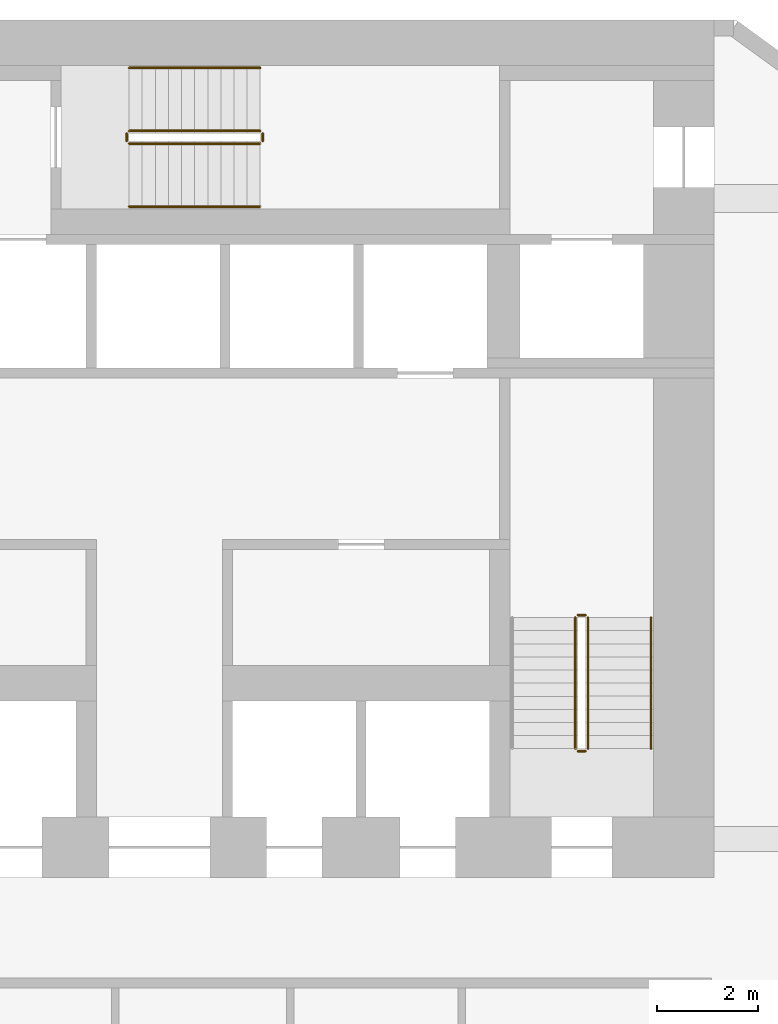
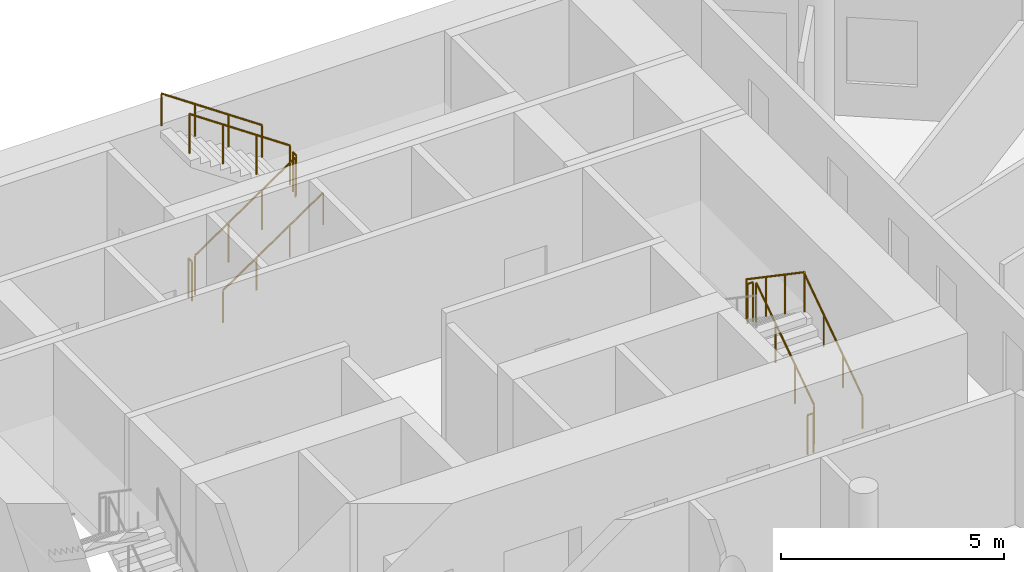
# One storey, part 9 of 9: 11 railings.
"""IFC4 building model written with IfcOpenShell, lengths in metres."""

from ifc_helpers import new_model, si_unit, direction, frame, origin, origin_2d, place, context, subcontext, project, spatial, circle, extrude, material, type_object, element, save


model = new_model("IFC4")

# Units and contexts
model_context = context("Model", 3, precision=1e-05, world=origin(), true_north=direction((0.0, 1.0)))
body_context = subcontext(model_context, "Body", "Model", "MODEL_VIEW")
ifc_project = project(units=[si_unit("LENGTHUNIT", "METRE"), si_unit("AREAUNIT", "SQUARE_METRE"), si_unit("VOLUMEUNIT", "CUBIC_METRE"), si_unit("PLANEANGLEUNIT", "RADIAN"), si_unit("MASSUNIT", "GRAM", prefix="KILO")], contexts=[model_context])

# Site, building, storey
site_placement = place(None, origin())
site = spatial("IfcSite", under=ifc_project, at=site_placement, CompositionType="ELEMENT")
building_placement = place(site_placement, origin())
building = spatial("IfcBuilding", under=site, at=building_placement, Name="White Candle Pilgrim Tower", CompositionType="ELEMENT")
storey_placement = place(building_placement, frame((0.0, 0.0, 70.199951171875)))
storey = spatial("IfcBuildingStorey", under=building, at=storey_placement, Name="L14", CompositionType="ELEMENT", Elevation=70.199951171875)

# Railings
ifc_material = material(Name="Stainless steel", Category="steel")
railing_type_1 = type_object("IfcRailingType", Name="Stair guard stainless steel 1100 mm", PredefinedType="GUARDRAIL", material=ifc_material)
railing_1_placement = place(storey_placement, frame((78.5, 73.550048828125, 0.17724609375)))
element("IfcRailing", 1, at=railing_1_placement, inside=storey, type_object=railing_type_1, Name="L14 ST2 stair guard 1", PredefinedType="GUARDRAIL", context=body_context, shape_type="SweptSolid", body=[
    extrude(circle(Radius=0.02392578125, at=origin_2d()), frame((0.0, 0.0, 1.076171875), z_axis=(0.0, 0.826215852431, 0.563353676824), x_axis=(-1.0, 0.0, 0.0)), (0.0, 0.0, 1.0), 3.146728515625),
    extrude(circle(Radius=0.02099609375, at=origin_2d()), origin(), (0.0, 0.0, 1.0), 1.052001953125),
    extrude(circle(Radius=0.02099609375, at=origin_2d()), frame((0.0, 0.86669921875, 0.5908203125)), (0.0, 0.0, 1.0), 1.052001953125),
    extrude(circle(Radius=0.02099609375, at=origin_2d()), frame((0.0, 1.733154296875, 1.181884765625)), (0.0, 0.0, 1.0), 1.052001953125),
    extrude(circle(Radius=0.02099609375, at=origin_2d()), frame((0.0, 2.599853515625, 1.772705078125)), (0.0, 0.0, 1.0), 1.052001953125),
])
railing_2_placement = place(storey_placement, frame((78.449951171875, 76.199951171875, 1.949951171875)))
element("IfcRailing", 2, at=railing_2_placement, inside=storey, type_object=railing_type_1, Name="L14 ST2 stair guard 2", PredefinedType="GUARDRAIL", context=body_context, shape_type="SweptSolid", body=[
    extrude(circle(Radius=0.02392578125, at=origin_2d()), frame((0.0, 0.0, 1.076171875), z_axis=(-1.0, 0.0, 0.0), x_axis=(0.0, -1.0, 0.0)), (0.0, 0.0, 1.0), 0.14990234375),
    extrude(circle(Radius=0.02099609375, at=origin_2d()), origin(), (0.0, 0.0, 1.0), 1.052001953125),
    extrude(circle(Radius=0.02099609375, at=origin_2d()), frame((-0.14990234375, 0.0, 0.0)), (0.0, 0.0, 1.0), 1.052001953125),
])
railing_3_placement = place(storey_placement, frame((78.25, 76.14990234375, 2.12744140625)))
element("IfcRailing", 3, at=railing_3_placement, inside=storey, type_object=railing_type_1, Name="L14 ST2 stair guard 3", PredefinedType="GUARDRAIL", context=body_context, shape_type="SweptSolid", body=[
    extrude(circle(Radius=0.02392578125, at=origin_2d()), frame((0.0, 0.0, 1.076171875), z_axis=(0.0, -0.826215852431, 0.563353676824), x_axis=(1.0, 0.0, 0.0)), (0.0, 0.0, 1.0), 3.146728515625),
    extrude(circle(Radius=0.02099609375, at=origin_2d()), origin(), (0.0, 0.0, 1.0), 1.052001953125),
    extrude(circle(Radius=0.02099609375, at=origin_2d()), frame((0.0, -0.86669921875, 0.5908203125)), (0.0, 0.0, 1.0), 1.052001953125),
    extrude(circle(Radius=0.02099609375, at=origin_2d()), frame((0.0, -1.733154296875, 1.181884765625)), (0.0, 0.0, 1.0), 1.052001953125),
    extrude(circle(Radius=0.02099609375, at=origin_2d()), frame((0.0, -2.599853515625, 1.772705078125)), (0.0, 0.0, 1.0), 1.052001953125),
])
railing_4_placement = place(storey_placement, frame((78.449951171875, 73.5, 0.0)))
element("IfcRailing", 4, at=railing_4_placement, inside=storey, type_object=railing_type_1, Name="L14 ST2 stair guard 4", PredefinedType="GUARDRAIL", context=body_context, shape_type="SweptSolid", body=[
    extrude(circle(Radius=0.02392578125, at=origin_2d()), frame((0.0, 0.0, 1.076171875), z_axis=(-1.0, 0.0, 0.0), x_axis=(0.0, -1.0, 0.0)), (0.0, 0.0, 1.0), 0.14990234375),
    extrude(circle(Radius=0.02099609375, at=origin_2d()), origin(), (0.0, 0.0, 1.0), 1.052001953125),
    extrude(circle(Radius=0.02099609375, at=origin_2d()), frame((-0.14990234375, 0.0, 0.0)), (0.0, 0.0, 1.0), 1.052001953125),
])
railing_5_placement = place(storey_placement, frame((69.39990234375, 85.550048828125, 0.17724609375)))
element("IfcRailing", 5, at=railing_5_placement, inside=storey, type_object=railing_type_1, Name="L14 ST3 stair guard 1", PredefinedType="GUARDRAIL", context=body_context, shape_type="SweptSolid", body=[
    extrude(circle(Radius=0.02392578125, at=origin_2d()), frame((0.0, 0.0, 1.076171875), z_axis=(0.826240473404, 0.0, 0.563317565952), x_axis=(0.0, 1.0, 0.0)), (0.0, 0.0, 1.0), 3.14697265625),
    extrude(circle(Radius=0.02099609375, at=origin_2d()), origin(), (0.0, 0.0, 1.0), 1.052001953125),
    extrude(circle(Radius=0.02099609375, at=origin_2d()), frame((0.86669921875, 0.0, 0.5908203125)), (0.0, 0.0, 1.0), 1.052001953125),
    extrude(circle(Radius=0.02099609375, at=origin_2d()), frame((1.7333984375, 0.0, 1.181884765625)), (0.0, 0.0, 1.0), 1.052001953125),
    extrude(circle(Radius=0.02099609375, at=origin_2d()), frame((2.60009765625, 0.0, 1.772705078125)), (0.0, 0.0, 1.0), 1.052001953125),
])
railing_6_placement = place(storey_placement, frame((72.050048828125, 85.60009765625, 1.949951171875)))
element("IfcRailing", 6, at=railing_6_placement, inside=storey, type_object=railing_type_1, Name="L14 ST3 stair guard 2", PredefinedType="GUARDRAIL", context=body_context, shape_type="SweptSolid", body=[
    extrude(circle(Radius=0.02392578125, at=origin_2d()), frame((0.0, 0.0, 1.076171875), z_axis=(0.0, 1.0, 0.0), x_axis=(-1.0, 0.0, 0.0)), (0.0, 0.0, 1.0), 0.14990234375),
    extrude(circle(Radius=0.02099609375, at=origin_2d()), origin(), (0.0, 0.0, 1.0), 1.052001953125),
    extrude(circle(Radius=0.02099609375, at=origin_2d()), frame((0.0, 0.14990234375, 0.0)), (0.0, 0.0, 1.0), 1.052001953125),
])
railing_7_placement = place(storey_placement, frame((72.0, 85.800048828125, 2.12744140625)))
element("IfcRailing", 7, at=railing_7_placement, inside=storey, type_object=railing_type_1, Name="L14 ST3 stair guard 3", PredefinedType="GUARDRAIL", context=body_context, shape_type="SweptSolid", body=[
    extrude(circle(Radius=0.02392578125, at=origin_2d()), frame((0.0, 0.0, 1.076171875), z_axis=(-0.826240473404, 0.0, 0.563317565952), x_axis=(0.0, -1.0, 0.0)), (0.0, 0.0, 1.0), 3.14697265625),
    extrude(circle(Radius=0.02099609375, at=origin_2d()), origin(), (0.0, 0.0, 1.0), 1.052001953125),
    extrude(circle(Radius=0.02099609375, at=origin_2d()), frame((-0.86669921875, 0.0, 0.5908203125)), (0.0, 0.0, 1.0), 1.052001953125),
    extrude(circle(Radius=0.02099609375, at=origin_2d()), frame((-1.7333984375, 0.0, 1.181884765625)), (0.0, 0.0, 1.0), 1.052001953125),
    extrude(circle(Radius=0.02099609375, at=origin_2d()), frame((-2.60009765625, 0.0, 1.772705078125)), (0.0, 0.0, 1.0), 1.052001953125),
])
railing_8_placement = place(storey_placement, frame((69.35009765625, 85.60009765625, 0.0)))
element("IfcRailing", 8, at=railing_8_placement, inside=storey, type_object=railing_type_1, Name="L14 ST3 stair guard 4", PredefinedType="GUARDRAIL", context=body_context, shape_type="SweptSolid", body=[
    extrude(circle(Radius=0.02392578125, at=origin_2d()), frame((0.0, 0.0, 1.076171875), z_axis=(0.0, 1.0, 0.0), x_axis=(-1.0, 0.0, 0.0)), (0.0, 0.0, 1.0), 0.14990234375),
    extrude(circle(Radius=0.02099609375, at=origin_2d()), origin(), (0.0, 0.0, 1.0), 1.052001953125),
    extrude(circle(Radius=0.02099609375, at=origin_2d()), frame((0.0, 0.14990234375, 0.0)), (0.0, 0.0, 1.0), 1.052001953125),
])
railing_type_2 = type_object("IfcRailingType", Name="Stair handrail stainless steel", PredefinedType="HANDRAIL", material=ifc_material)
railing_9_placement = place(storey_placement, frame((79.75, 73.550048828125, 0.17724609375)))
element("IfcRailing", 9, at=railing_9_placement, inside=storey, type_object=railing_type_2, Name="L14 ST2 stair handrail 1", PredefinedType="HANDRAIL", context=body_context, shape_type="SweptSolid", body=[
    extrude(circle(Radius=0.02392578125, at=origin_2d()), frame((0.0, 0.0, 0.8759765625), z_axis=(0.0, 0.826215852431, 0.563353676824), x_axis=(-1.0, 0.0, 0.0)), (0.0, 0.0, 1.0), 3.146728515625),
    extrude(circle(Radius=0.02099609375, at=origin_2d()), origin(), (0.0, 0.0, 1.0), 0.851806640625),
    extrude(circle(Radius=0.02099609375, at=origin_2d()), frame((0.0, 0.86669921875, 0.5908203125)), (0.0, 0.0, 1.0), 0.851806640625),
    extrude(circle(Radius=0.02099609375, at=origin_2d()), frame((0.0, 1.733154296875, 1.181884765625)), (0.0, 0.0, 1.0), 0.851806640625),
    extrude(circle(Radius=0.02099609375, at=origin_2d()), frame((0.0, 2.599853515625, 1.772705078125)), (0.0, 0.0, 1.0), 0.851806640625),
])
railing_10_placement = place(storey_placement, frame((69.39990234375, 84.300048828125, 0.17724609375)))
element("IfcRailing", 10, at=railing_10_placement, inside=storey, type_object=railing_type_2, Name="L14 ST3 stair handrail 1", PredefinedType="HANDRAIL", context=body_context, shape_type="SweptSolid", body=[
    extrude(circle(Radius=0.02392578125, at=origin_2d()), frame((0.0, 0.0, 0.8759765625), z_axis=(0.826240473404, 0.0, 0.563317565952), x_axis=(0.0, 1.0, 0.0)), (0.0, 0.0, 1.0), 3.14697265625),
    extrude(circle(Radius=0.02099609375, at=origin_2d()), origin(), (0.0, 0.0, 1.0), 0.851806640625),
    extrude(circle(Radius=0.02099609375, at=origin_2d()), frame((0.86669921875, 0.0, 0.5908203125)), (0.0, 0.0, 1.0), 0.851806640625),
    extrude(circle(Radius=0.02099609375, at=origin_2d()), frame((1.7333984375, 0.0, 1.181884765625)), (0.0, 0.0, 1.0), 0.851806640625),
    extrude(circle(Radius=0.02099609375, at=origin_2d()), frame((2.60009765625, 0.0, 1.772705078125)), (0.0, 0.0, 1.0), 0.851806640625),
])
railing_11_placement = place(storey_placement, frame((72.0, 87.050048828125, 2.12744140625)))
element("IfcRailing", 11, at=railing_11_placement, inside=storey, type_object=railing_type_2, Name="L14 ST3 stair handrail 2", PredefinedType="HANDRAIL", context=body_context, shape_type="SweptSolid", body=[
    extrude(circle(Radius=0.02392578125, at=origin_2d()), frame((0.0, 0.0, 0.8759765625), z_axis=(-0.826240473404, 0.0, 0.563317565952), x_axis=(0.0, -1.0, 0.0)), (0.0, 0.0, 1.0), 3.14697265625),
    extrude(circle(Radius=0.02099609375, at=origin_2d()), origin(), (0.0, 0.0, 1.0), 0.851806640625),
    extrude(circle(Radius=0.02099609375, at=origin_2d()), frame((-0.86669921875, 0.0, 0.5908203125)), (0.0, 0.0, 1.0), 0.851806640625),
    extrude(circle(Radius=0.02099609375, at=origin_2d()), frame((-1.7333984375, 0.0, 1.181884765625)), (0.0, 0.0, 1.0), 0.851806640625),
    extrude(circle(Radius=0.02099609375, at=origin_2d()), frame((-2.60009765625, 0.0, 1.772705078125)), (0.0, 0.0, 1.0), 0.851806640625),
])

save(model, "model.ifc")
